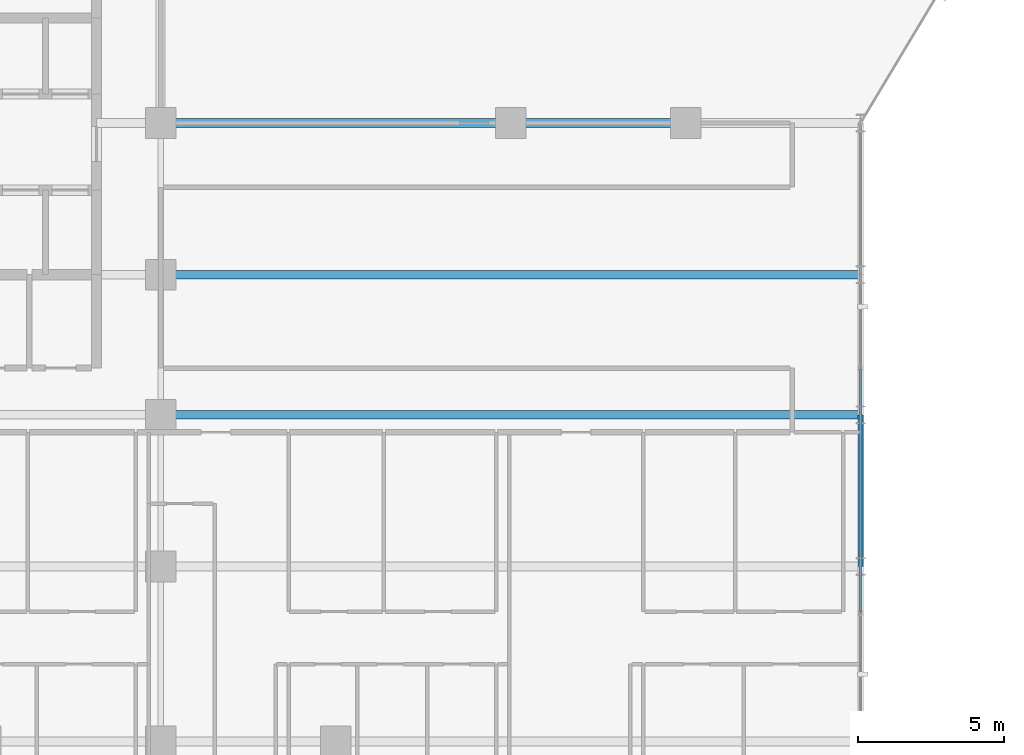
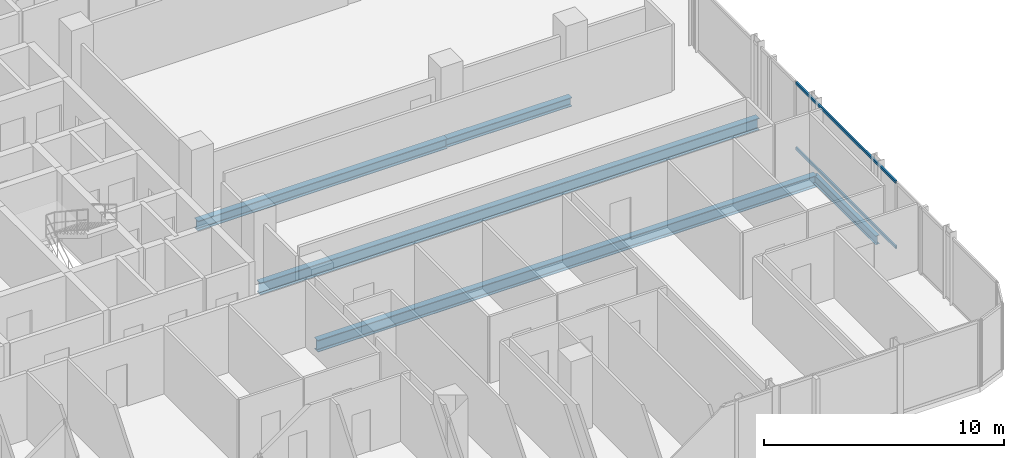
# One storey, part 11 of 29: 5 beams, 2 members, 1 element without a shape of its own.
"""IFC4 building model written with IfcOpenShell, lengths in metres."""

from ifc_helpers import new_model, si_unit, direction, frame, origin, origin_2d, place, context, subcontext, project, spatial, hollow_rectangle, i_section, extrude, material, layer, layer_set, material_profile, profile_set, type_object, element, aggregate, save


model = new_model("IFC4")

# Units and contexts
model_context = context("Model", 3, precision=1e-05, world=origin(), true_north=direction((0.0, 1.0)))
body_context = subcontext(model_context, "Body", "Model", "MODEL_VIEW")
ifc_project = project(units=[si_unit("LENGTHUNIT", "METRE"), si_unit("AREAUNIT", "SQUARE_METRE"), si_unit("VOLUMEUNIT", "CUBIC_METRE"), si_unit("PLANEANGLEUNIT", "RADIAN"), si_unit("MASSUNIT", "GRAM", prefix="KILO")], contexts=[model_context])

# Site, building, storey
site_placement = place(None, origin())
site = spatial("IfcSite", under=ifc_project, at=site_placement, CompositionType="ELEMENT")
building_placement = place(site_placement, origin())
building = spatial("IfcBuilding", under=site, at=building_placement, Name="Keshet Zoharim Tower", CompositionType="ELEMENT")
storey_placement = place(building_placement, frame((0.0, 0.0, 94.60009765625)))
storey = spatial("IfcBuildingStorey", under=building, at=storey_placement, Name="L22", CompositionType="ELEMENT", Elevation=94.60009765625)

# Beams
ifc_material_1 = material(Name="Steel S355", Category="steel")
ifc_material_profile_1 = material_profile(ifc_material_1, i_section(OverallWidth=0.300048828125, OverallDepth=0.60009765625, WebThickness=0.015380859375, FlangeThickness=0.030029296875, FilletRadius=0.027099609375, at=origin_2d()), Name="HEB600")
ifc_profile_set_1 = profile_set([ifc_material_profile_1], Name="Steel S355")
beam_type_1 = type_object("IfcBeamType", Name="BM-LNG-HB600", PredefinedType="BEAM", material=ifc_profile_set_1)
for number, where, z_axis, x_axis, name in (
    (1, (33.0, 17.89990234375, -0.614990234375), (1.0, 0.0, 0.0), (0.0, 1.0, 0.0), "L22 Primary Girder X-013"),
    (2, (33.0, 22.699951171875, -0.614990234375), (1.0, 0.0, 0.0), (0.0, 1.0, 0.0), "L22 Primary Girder X-014"),
):
    element("IfcBeam", number, at=place(storey_placement, frame(where, z_axis=z_axis, x_axis=x_axis)), inside=storey, type_object=beam_type_1, Name=name, PredefinedType="BEAM", context=body_context, shape_type="SweptSolid", body=[
        extrude(i_section(OverallWidth=0.300048828125, OverallDepth=0.60009765625, WebThickness=0.015380859375, FlangeThickness=0.030029296875, FilletRadius=0.027099609375, at=origin_2d()), origin(), (0.0, 0.0, 1.0), 24.0),
    ])
ifc_material_profile_2 = material_profile(ifc_material_1, i_section(OverallWidth=0.300048828125, OverallDepth=0.5, WebThickness=0.014404296875, FlangeThickness=0.028076171875, FilletRadius=0.027099609375, at=origin_2d()), Name="HEB500")
ifc_profile_set_2 = profile_set([ifc_material_profile_2], Name="Steel S355")
beam_type_2 = type_object("IfcBeamType", Name="BM-MED-HB500", PredefinedType="BEAM", material=ifc_profile_set_2)
beam_1_placement = place(storey_placement, frame((33.0, 27.89990234375, -0.565185546875), z_axis=(1.0, 0.0, 0.0), x_axis=(0.0, 1.0, 0.0)))
element("IfcBeam", 3, at=beam_1_placement, inside=storey, type_object=beam_type_2, Name="L22 Primary Girder X-015", PredefinedType="BEAM", context=body_context, shape_type="SweptSolid", body=[
    extrude(i_section(OverallWidth=0.300048828125, OverallDepth=0.5, WebThickness=0.014404296875, FlangeThickness=0.028076171875, FilletRadius=0.027099609375, at=origin_2d()), origin(), (0.0, 0.0, 1.0), 12.0),
])
ifc_material_profile_3 = material_profile(ifc_material_1, i_section(OverallWidth=0.18994140625, OverallDepth=0.449951171875, WebThickness=0.009521484375, FlangeThickness=0.0146484375, FilletRadius=0.02099609375, at=origin_2d()), Name="IPE450")
ifc_profile_set_3 = profile_set([ifc_material_profile_3], Name="Steel S355")
beam_type_3 = type_object("IfcBeamType", Name="BM-PRI-IP450", PredefinedType="BEAM", material=ifc_profile_set_3)
beam_2_placement = place(storey_placement, frame((57.0, 12.699951171875, -0.5400390625), z_axis=(0.0, 1.0, 0.0), x_axis=(-1.0, 0.0, 0.0)))
element("IfcBeam", 4, at=beam_2_placement, inside=storey, type_object=beam_type_3, Name="L22 Primary Girder Y-014", PredefinedType="BEAM", context=body_context, shape_type="SweptSolid", body=[
    extrude(i_section(OverallWidth=0.18994140625, OverallDepth=0.449951171875, WebThickness=0.009521484375, FlangeThickness=0.0146484375, FilletRadius=0.02099609375, at=origin_2d()), origin(), (0.0, 0.0, 1.0), 5.199951171875),
])
ifc_material_profile_4 = material_profile(ifc_material_1, i_section(OverallWidth=0.300048828125, OverallDepth=0.449951171875, WebThickness=0.013916015625, FlangeThickness=0.02587890625, FilletRadius=0.027099609375, at=origin_2d()), Name="HEB450")
ifc_profile_set_4 = profile_set([ifc_material_profile_4], Name="Steel S355")
beam_type_4 = type_object("IfcBeamType", Name="BM-WEB-HB450", PredefinedType="BEAM", material=ifc_profile_set_4)
beam_3_placement = place(storey_placement, frame((45.0, 27.89990234375, -0.5400390625), z_axis=(1.0, 0.0, 0.0), x_axis=(0.0, 1.0, 0.0)))
element("IfcBeam", 5, at=beam_3_placement, inside=storey, type_object=beam_type_4, Name="L22 Primary Girder X-016", PredefinedType="BEAM", context=body_context, shape_type="SweptSolid", body=[
    extrude(i_section(OverallWidth=0.300048828125, OverallDepth=0.449951171875, WebThickness=0.013916015625, FlangeThickness=0.02587890625, FilletRadius=0.027099609375, at=origin_2d()), origin(), (0.0, 0.0, 1.0), 6.0),
])

# Curtain wall, members
ifc_material_2 = material(Name="Aluminium 6063-T6", Category="aluminium")
ifc_layer = layer(ifc_material_2, 0.159912109375)
ifc_layer_set = layer_set([ifc_layer], Name="Aluminium 6063-T6")
curtain_wall_type = type_object("IfcCurtainWallType", Name="CW-SYS-03", PredefinedType="NOTDEFINED", material=ifc_layer_set)
curtain_wall_placement = place(storey_placement, origin())
curtain_wall = element("IfcCurtainWall", 6, at=curtain_wall_placement, inside=storey, type_object=curtain_wall_type, Name="L22 Unitised Curtain Wall 19", PredefinedType="NOTDEFINED")
ifc_material_profile_5 = material_profile(ifc_material_2, hollow_rectangle(XDim=0.080078125, YDim=0.139892578125, WallThickness=0.00390625, at=origin_2d()), Name="TRN-80x140")
ifc_profile_set_5 = profile_set([ifc_material_profile_5], Name="Aluminium 6063-T6")
member_type = type_object("IfcMemberType", Name="CWT-T14", PredefinedType="USERDEFINED", material=ifc_profile_set_5)
member_1_placement = place(storey_placement, frame((57.0, 19.465087890625, 0.034912109375), z_axis=(0.0, -1.0, 0.0), x_axis=(1.0, 0.0, 0.0)))
member_1 = element("IfcMember", 7, at=member_1_placement, type_object=member_type, Name="CW-03 transom 2.1", ObjectType="TRANSOM", PredefinedType="USERDEFINED", context=body_context, shape_type="SweptSolid", body=[
    extrude(hollow_rectangle(XDim=0.080078125, YDim=0.139892578125, WallThickness=0.00390625, at=origin_2d()), origin(), (0.0, 0.0, 1.0), 8.330078125),
])
member_2_placement = place(storey_placement, frame((57.0, 19.465087890625, 3.349853515625), z_axis=(0.0, -1.0, 0.0), x_axis=(1.0, 0.0, 0.0)))
member_2 = element("IfcMember", 8, at=member_2_placement, type_object=member_type, Name="CW-03 transom 2.2", ObjectType="TRANSOM", PredefinedType="USERDEFINED", context=body_context, shape_type="SweptSolid", body=[
    extrude(hollow_rectangle(XDim=0.080078125, YDim=0.139892578125, WallThickness=0.00390625, at=origin_2d()), origin(), (0.0, 0.0, 1.0), 8.330078125),
])
aggregate(curtain_wall, [member_1, member_2])

save(model, "model.ifc")
